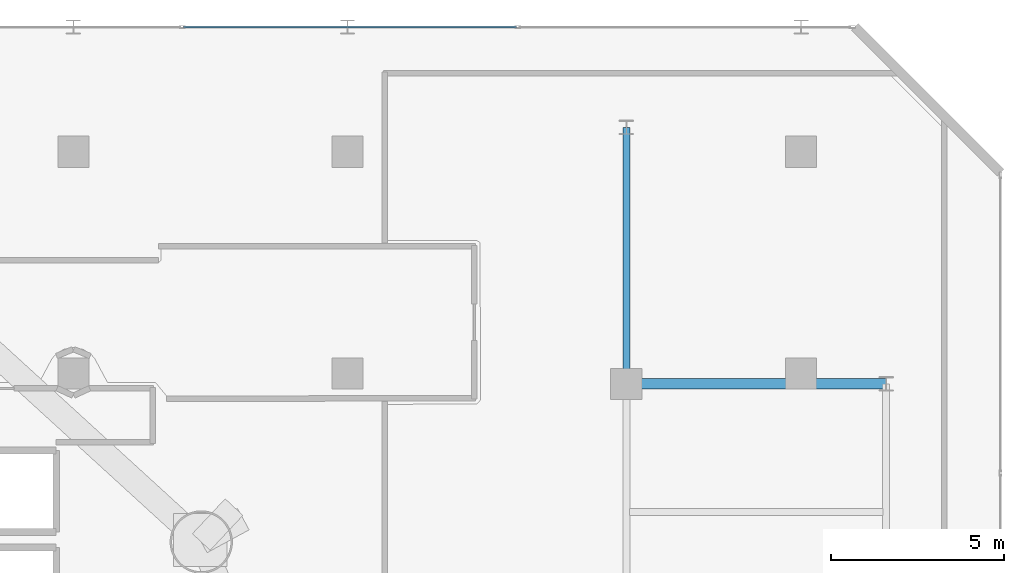
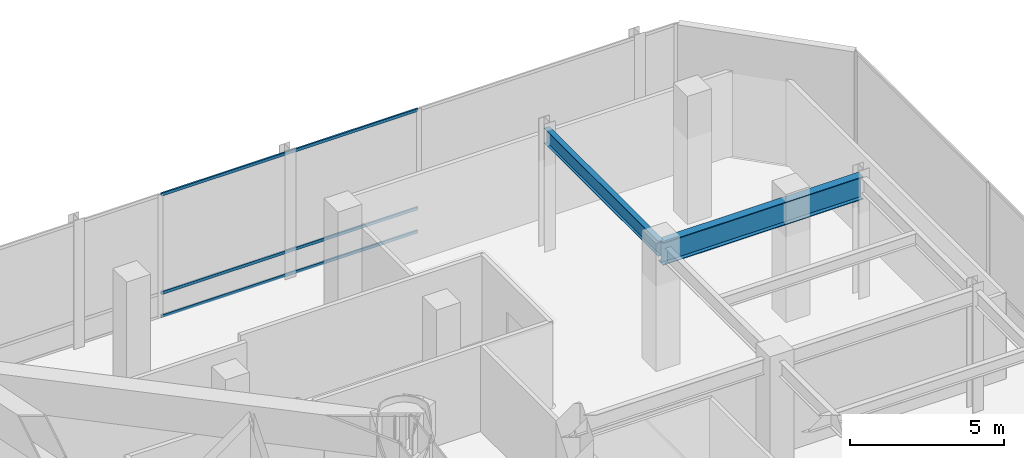
# One storey, part 23 of 40: 3 members, 2 beams, 1 element without a shape of its own.
"""IFC4 building model written with IfcOpenShell, lengths in metres."""

import ifcopenshell
import ifcopenshell.guid

model = None  # the IFC model being written
_history = None  # IfcOwnerHistory: only IFC2X3 demands one
_inside = {}  # id of a spatial element -> (the spatial element, [elements in it])
_under = {}  # id of a project, library or spatial element -> (it, [spatial elements below it])
_declared = {}  # id of a project -> (the project, [libraries it declares])
_typed = {}  # id of a type object -> (the type object, [elements of that type])
_made_of = {}  # id of a material, layer set ... -> (it, [elements and type objects made of it])


def new_model(schema):
    """Start an empty IFC model of exactly this schema.

    Asked for "IFC4X3", IfcOpenShell would pick the latest addendum, in which some entities
    have other attributes; the version numbers below select the first issue.
    IFC2X3 requires an IfcOwnerHistory on every rooted entity: one is made here for all.
    """
    global model, _history
    if schema == "IFC4X3":
        model = ifcopenshell.file(schema_version=(4, 3, 0, 0))
    else:
        model = ifcopenshell.file(schema=schema)
    _inside.clear()
    _under.clear()
    _declared.clear()
    _typed.clear()
    _made_of.clear()
    _history = None
    if model.schema == "IFC2X3":
        org = make("IfcOrganization", Name="unknown")
        user = make(
            "IfcPersonAndOrganization",
            ThePerson=make("IfcPerson", FamilyName="unknown"),
            TheOrganization=org,
        )
        app = make(
            "IfcApplication",
            ApplicationDeveloper=org,
            Version="unknown",
            ApplicationFullName="unknown",
            ApplicationIdentifier="unknown",
        )
        _history = make(
            "IfcOwnerHistory",
            OwningUser=user,
            OwningApplication=app,
            ChangeAction="ADDED",
            CreationDate=0,
        )
    return model


def make(cls, **values):
    """One entity of the class cls with the attributes given. An attribute that is None is left unset."""
    return model.create_entity(
        cls, **{name: value for name, value in values.items() if value is not None}
    )


def rooted(cls, **values):
    """An entity with a GlobalId (a new one), such as an element, a storey or a relation."""
    return make(cls, GlobalId=ifcopenshell.guid.new(), OwnerHistory=_history, **values)


def si_unit(unit_type, name, prefix=None):
    """IfcSIUnit, for example si_unit("LENGTHUNIT", "METRE", prefix="MILLI")."""
    return make("IfcSIUnit", UnitType=unit_type, Prefix=prefix, Name=name)


def assignment(units):
    """IfcUnitAssignment: the units of a project."""
    return None if units is None else make("IfcUnitAssignment", Units=units)


def point(xyz):
    """IfcCartesianPoint."""
    return None if xyz is None else make("IfcCartesianPoint", Coordinates=xyz)


def direction(xyz):
    """IfcDirection."""
    return None if xyz is None else make("IfcDirection", DirectionRatios=xyz)


def frame(location, z_axis=None, x_axis=None):
    """IfcAxis2Placement3D, a coordinate frame: its origin and axes. An axis left out is left unset."""
    return make(
        "IfcAxis2Placement3D",
        Location=point(location),
        Axis=direction(z_axis),
        RefDirection=direction(x_axis),
    )


def frame_2d(location, x_axis=None):
    """IfcAxis2Placement2D, a coordinate frame in the plane: its origin and x axis."""
    return make(
        "IfcAxis2Placement2D", Location=point(location), RefDirection=direction(x_axis)
    )


def origin():
    """The frame at (0, 0, 0) with its axes left unset."""
    return frame((0.0, 0.0, 0.0))


def origin_2d():
    """The frame at (0, 0) in the plane with its x axis left unset."""
    return frame_2d((0.0, 0.0))


def place(relative_to, where):
    """IfcLocalPlacement: puts the frame where relative to a parent placement (None: the world)."""
    return make(
        "IfcLocalPlacement", PlacementRelTo=relative_to, RelativePlacement=where
    )


def context(
    kind, dimensions, precision=None, world=None, true_north=None, identifier=None
):
    """IfcGeometricRepresentationContext, for example the 3D "Model" context."""
    return make(
        "IfcGeometricRepresentationContext",
        ContextIdentifier=identifier,
        ContextType=kind,
        CoordinateSpaceDimension=dimensions,
        Precision=precision,
        WorldCoordinateSystem=world,
        TrueNorth=true_north,
    )


def subcontext(parent, identifier, kind, view, scale=None):
    """IfcGeometricRepresentationSubContext, for example "Body" below "Model"."""
    return make(
        "IfcGeometricRepresentationSubContext",
        ContextIdentifier=identifier,
        ContextType=kind,
        ParentContext=parent,
        TargetScale=scale,
        TargetView=view,
    )


def project(units=None, contexts=None):
    """IfcProject with its units and contexts."""
    return rooted(
        "IfcProject",
        Name="project",
        RepresentationContexts=contexts,
        UnitsInContext=assignment(units),
    )


def spatial(cls, under=None, at=None, **own):
    """A site, building, storey or space (cls), placed at a placement, below another one or the project."""
    s = rooted(cls, ObjectPlacement=at, **own)
    if under is not None:
        _under.setdefault(under.id(), (under, []))[1].append(s)
    return s


def profile(cls, at=None, kind="AREA", **sizes):
    """A parametric profile (cls). Its sizes go by their IFC names, for example OverallWidth=200.0."""
    return make(cls, ProfileType=kind, Position=at, **sizes)


def hollow_rectangle(**sizes):
    """IfcRectangleHollowProfileDef."""
    return profile("IfcRectangleHollowProfileDef", **sizes)


def i_section(**sizes):
    """IfcIShapeProfileDef."""
    return profile("IfcIShapeProfileDef", **sizes)


def extrude(swept, where, along, depth):
    """IfcExtrudedAreaSolid: the profile swept, set in the frame where, extruded along a direction by depth."""
    return make(
        "IfcExtrudedAreaSolid",
        SweptArea=swept,
        Position=where,
        ExtrudedDirection=direction(along),
        Depth=depth,
    )


def shape(context_of_items, identifier, shape_type, items):
    """IfcShapeRepresentation: the items that make up one representation, for example the "Body"."""
    return make(
        "IfcShapeRepresentation",
        ContextOfItems=context_of_items,
        RepresentationIdentifier=identifier,
        RepresentationType=shape_type,
        Items=items,
    )


def material(Name=None, Category=None):
    """IfcMaterial."""
    return make("IfcMaterial", Name=Name, Category=Category)


def layer(
    of_material, thickness, ventilated=None, Name=None, Category=None, Priority=None
):
    """IfcMaterialLayer: one layer of a wall or slab, of a material (None: an air gap)."""
    return make(
        "IfcMaterialLayer",
        Material=of_material,
        LayerThickness=thickness,
        IsVentilated=ventilated,
        Name=Name,
        Category=Category,
        Priority=Priority,
    )


def layer_set(layers, Name=None):
    """IfcMaterialLayerSet."""
    return make("IfcMaterialLayerSet", MaterialLayers=layers, LayerSetName=Name)


def material_profile(
    of_material, cross_section, Name=None, Category=None, Priority=None
):
    """IfcMaterialProfile: a cross section and its material."""
    return make(
        "IfcMaterialProfile",
        Name=Name,
        Material=of_material,
        Profile=cross_section,
        Priority=Priority,
        Category=Category,
    )


def profile_set(profiles, Name=None, composite=None):
    """IfcMaterialProfileSet."""
    return make(
        "IfcMaterialProfileSet",
        Name=Name,
        MaterialProfiles=profiles,
        CompositeProfile=composite,
    )


def made_of(thing, what):
    """Note that an element or type object is made of a material, layer set ...; save() writes the relation."""
    if what is not None:
        _made_of.setdefault(what.id(), (what, []))[1].append(thing)
    return thing


def type_object(cls, material=None, **own):
    """A type object (cls), such as IfcWallType, which elements share."""
    return made_of(rooted(cls, **own), material)


def element(
    cls,
    number,
    at=None,
    inside=None,
    cuts=None,
    type_object=None,
    material=None,
    context=None,
    identifier="Body",
    shape_type=None,
    held_by="IfcProductDefinitionShape",
    body=None,
    shapes=None,
    **own,
):
    """One element of the class cls, such as IfcWall. Its Tag is "e" and its number.

    at: its placement. inside: the storey or other place that contains it. cuts: it is an
    opening in that element (IfcRelVoidsElement). A single representation is given by context,
    identifier, shape_type and body (its items); several are given by shapes. held_by: the class
    of the entity that holds the representations. save() writes the other relations.
    """
    e = rooted(cls, Tag="e%d" % number, ObjectPlacement=at, **own)
    if body is not None:
        shapes = [shape(context, identifier, shape_type, body)]
    if shapes is not None:
        e.Representation = make(held_by, Representations=shapes)
    if inside is not None:
        _inside.setdefault(inside.id(), (inside, []))[1].append(e)
    if cuts is not None:
        rooted(
            "IfcRelVoidsElement", RelatingBuildingElement=cuts, RelatedOpeningElement=e
        )
    if type_object is not None:
        _typed.setdefault(type_object.id(), (type_object, []))[1].append(e)
    return made_of(e, material)


def aggregate(whole, parts):
    """IfcRelAggregates: a whole, such as a stair, and the parts it consists of."""
    return rooted("IfcRelAggregates", RelatingObject=whole, RelatedObjects=parts)


def save(model, path):
    """Write the relations noted so far, then the file.

    IfcRelAggregates (storeys below a building ...), IfcRelContainedInSpatialStructure (elements
    in a storey), IfcRelDefinesByType, IfcRelAssociatesMaterial and IfcRelDeclares: one each for
    every whole, place, type object, material and project.
    """
    for whole, parts in _under.values():
        aggregate(whole, parts)
    for where, things in _inside.values():
        rooted(
            "IfcRelContainedInSpatialStructure",
            RelatedElements=things,
            RelatingStructure=where,
        )
    for kind, things in _typed.values():
        rooted("IfcRelDefinesByType", RelatedObjects=things, RelatingType=kind)
    for what, things in _made_of.values():
        rooted("IfcRelAssociatesMaterial", RelatedObjects=things, RelatingMaterial=what)
    for by, libraries in _declared.values():
        rooted("IfcRelDeclares", RelatingContext=by, RelatedDefinitions=libraries)
    model.write(path)


model = new_model("IFC4")

# Units and contexts
model_context = context("Model", 3, precision=1e-05, world=origin(), true_north=direction((0.0, 1.0)))
body_context = subcontext(model_context, "Body", "Model", "MODEL_VIEW")
ifc_project = project(units=[si_unit("LENGTHUNIT", "METRE"), si_unit("AREAUNIT", "SQUARE_METRE"), si_unit("VOLUMEUNIT", "CUBIC_METRE"), si_unit("PLANEANGLEUNIT", "RADIAN"), si_unit("MASSUNIT", "GRAM", prefix="KILO")], contexts=[model_context])

# Site, building, storey
site_placement = place(None, origin())
site = spatial("IfcSite", under=ifc_project, at=site_placement, CompositionType="ELEMENT")
building_placement = place(site_placement, origin())
building = spatial("IfcBuilding", under=site, at=building_placement, Name="Qianvela Tower", CompositionType="ELEMENT")
storey_placement = place(building_placement, frame((0.0, 0.0, 20.60009765625)))
storey = spatial("IfcBuildingStorey", under=building, at=storey_placement, Name="L04", CompositionType="ELEMENT", Elevation=20.60009765625)

# Beams
ifc_material_1 = material(Name="Steel Q355B", Category="steel")
ifc_material_profile_1 = material_profile(ifc_material_1, i_section(OverallWidth=0.199951171875, OverallDepth=0.60009765625, WebThickness=0.010986328125, FlangeThickness=0.01708984375, at=origin_2d()), Name="HN600x200x11x17")
ifc_profile_set_1 = profile_set([ifc_material_profile_1], Name="Steel Q355B")
beam_type_1 = type_object("IfcBeamType", Name="BM-HN600-GIRD", PredefinedType="BEAM", material=ifc_profile_set_1)
beam_1_placement = place(storey_placement, frame((60.0, 37.199951171875, 4.497802734375), z_axis=(0.0, 1.0, 0.0), x_axis=(-1.0, 0.0, 0.0)))
element("IfcBeam", 1, at=beam_1_placement, inside=storey, type_object=beam_type_1, Name="L04 North-South Grid Girder 32", PredefinedType="BEAM", context=body_context, shape_type="SweptSolid", body=[
    extrude(i_section(OverallWidth=0.199951171875, OverallDepth=0.60009765625, WebThickness=0.010986328125, FlangeThickness=0.01708984375, at=origin_2d()), origin(), (0.0, 0.0, 1.0), 7.400146484375),
])
ifc_material_2 = material(Name="Steel Q355B", Category="steel")
ifc_material_profile_2 = material_profile(ifc_material_2, i_section(OverallWidth=0.300048828125, OverallDepth=0.89990234375, WebThickness=0.01611328125, FlangeThickness=0.028076171875, at=origin_2d()), Name="HN900x300x16x28")
ifc_profile_set_2 = profile_set([ifc_material_profile_2], Name="Steel Q355B")
beam_type_2 = type_object("IfcBeamType", Name="BM-HN900-SPAND", PredefinedType="SPANDREL", material=ifc_profile_set_2)
beam_2_placement = place(storey_placement, frame((60.0, 37.199951171875, 4.347900390625), z_axis=(1.0, 0.0, 0.0), x_axis=(0.0, 1.0, 0.0)))
element("IfcBeam", 2, at=beam_2_placement, inside=storey, type_object=beam_type_2, Name="L04 East-West Grid Girder 16", PredefinedType="SPANDREL", context=body_context, shape_type="SweptSolid", body=[
    extrude(i_section(OverallWidth=0.300048828125, OverallDepth=0.89990234375, WebThickness=0.01611328125, FlangeThickness=0.028076171875, at=origin_2d()), origin(), (0.0, 0.0, 1.0), 7.5),
])

# Curtain wall, members
ifc_material_3 = material(Name="Anodised Architectural Aluminium and Low-E Glass", Category="aluminium")
ifc_layer = layer(ifc_material_3, 0.179931640625)
ifc_layer_set = layer_set([ifc_layer], Name="Anodised Architectural Aluminium and Low-E Glass")
curtain_wall_type = type_object("IfcCurtainWallType", Name="CW-COMMONS", PredefinedType="USERDEFINED", material=ifc_layer_set)
curtain_wall_placement = place(storey_placement, origin())
curtain_wall = element("IfcCurtainWall", 3, at=curtain_wall_placement, inside=storey, type_object=curtain_wall_type, Name="L04 CW-COMMONS Curtain Wall 05", ObjectType="CURTAIN_WALL_SYSTEM", PredefinedType="USERDEFINED")
ifc_material_4 = material(Name="Anodised Architectural Aluminium 6063-T6", Category="aluminium")
ifc_material_profile_3 = material_profile(ifc_material_4, hollow_rectangle(XDim=0.06005859375, YDim=0.114990234375, WallThickness=0.00390625, at=origin_2d()), Name="ALU-TRAN-60x115")
ifc_profile_set_3 = profile_set([ifc_material_profile_3], Name="Anodised Architectural Aluminium 6063-T6")
member_type = type_object("IfcMemberType", Name="CW-COMMONS-TRAN", PredefinedType="USERDEFINED", material=ifc_profile_set_3)
member_1_placement = place(storey_placement, frame((56.831787109375, 47.5, 0.02978515625), z_axis=(-1.0, 0.0, 0.0), x_axis=(0.0, -1.0, 0.0)))
member_1 = element("IfcMember", 4, at=member_1_placement, type_object=member_type, Name="CW-2 transom 2.1", ObjectType="TRANSOM", PredefinedType="USERDEFINED", context=body_context, shape_type="SweptSolid", body=[
    extrude(hollow_rectangle(XDim=0.06005859375, YDim=0.114990234375, WallThickness=0.00390625, at=origin_2d()), origin(), (0.0, 0.0, 1.0), 9.613525390625),
])
member_2_placement = place(storey_placement, frame((56.831787109375, 47.5, 0.949951171875), z_axis=(-1.0, 0.0, 0.0), x_axis=(0.0, -1.0, 0.0)))
member_2 = element("IfcMember", 5, at=member_2_placement, type_object=member_type, Name="CW-2 transom 2.2", ObjectType="TRANSOM", PredefinedType="USERDEFINED", context=body_context, shape_type="SweptSolid", body=[
    extrude(hollow_rectangle(XDim=0.06005859375, YDim=0.114990234375, WallThickness=0.00390625, at=origin_2d()), origin(), (0.0, 0.0, 1.0), 9.613525390625),
])
member_3_placement = place(storey_placement, frame((56.831787109375, 47.5, 4.849853515625), z_axis=(-1.0, 0.0, 0.0), x_axis=(0.0, -1.0, 0.0)))
member_3 = element("IfcMember", 6, at=member_3_placement, type_object=member_type, Name="CW-2 transom 2.3", ObjectType="TRANSOM", PredefinedType="USERDEFINED", context=body_context, shape_type="SweptSolid", body=[
    extrude(hollow_rectangle(XDim=0.06005859375, YDim=0.114990234375, WallThickness=0.00390625, at=origin_2d()), origin(), (0.0, 0.0, 1.0), 9.613525390625),
])
aggregate(curtain_wall, [member_1, member_2, member_3])

save(model, "model.ifc")
